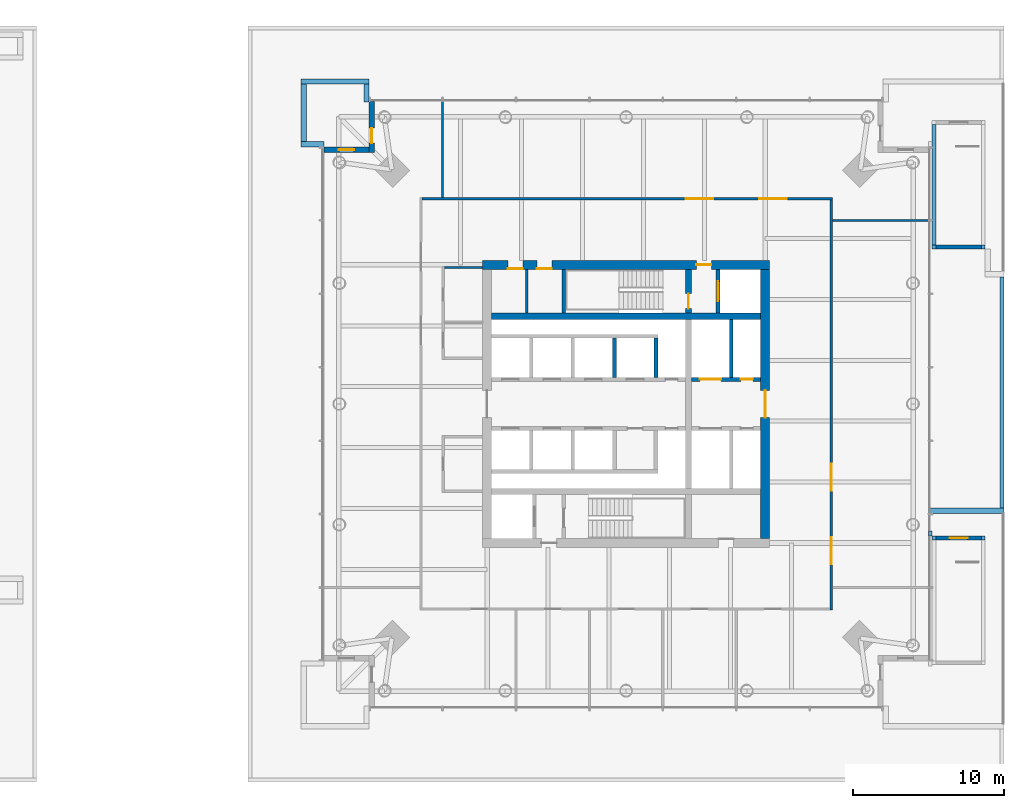
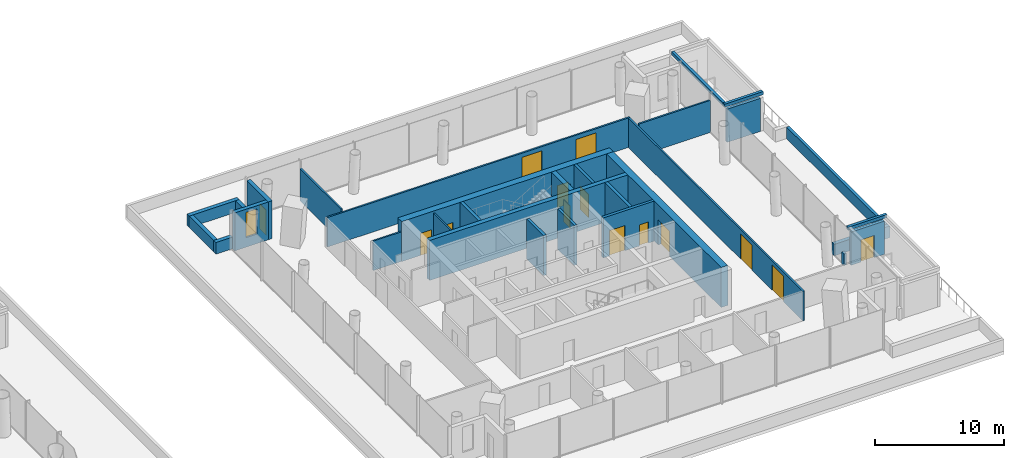
# One storey, part 15 of 19: 30 walls, 14 doors, 1 window, 15 openings.
"""IFC4 building model written with IfcOpenShell, lengths in metres."""

from ifc_helpers import new_model, si_unit, direction, frame, frame_2d, origin, place, context, subcontext, project, spatial, rectangle, extrude, material, layer, layer_set, type_object, element, fill, save


model = new_model("IFC4")

# Units and contexts
model_context = context("Model", 3, precision=1e-05, world=origin(), true_north=direction((0.0, 1.0)))
body_context = subcontext(model_context, "Body", "Model", "MODEL_VIEW")
ifc_project = project(units=[si_unit("LENGTHUNIT", "METRE"), si_unit("AREAUNIT", "SQUARE_METRE"), si_unit("VOLUMEUNIT", "CUBIC_METRE"), si_unit("PLANEANGLEUNIT", "RADIAN"), si_unit("MASSUNIT", "GRAM", prefix="KILO")], contexts=[model_context])

# Site, building, storey
site_placement = place(None, origin())
site = spatial("IfcSite", under=ifc_project, at=site_placement, CompositionType="ELEMENT")
building_placement = place(site_placement, origin())
building = spatial("IfcBuilding", under=site, at=building_placement, Name="Ostroluk Exchange", CompositionType="ELEMENT")
storey_placement = place(building_placement, frame((0.0, 0.0, 21.0)))
storey = spatial("IfcBuildingStorey", under=building, at=storey_placement, Name="L04", CompositionType="ELEMENT", Elevation=21.0)

# Walls
ifc_material_1 = material(Name="Concrete blockwork", Category="masonry")
ifc_layer_1 = layer(ifc_material_1, 0.14990234375)
ifc_layer_set_1 = layer_set([ifc_layer_1], Name="Blockwork plant room wall 150")
wall_type_1 = type_object("IfcWallType", Name="Blockwork plant room wall 150", PredefinedType="SOLIDWALL", material=ifc_layer_set_1)
wall_1_placement = place(storey_placement, frame((110.425048828125, 52.0, 0.0), z_axis=(0.0, 0.0, 1.0), x_axis=(0.0, 1.0, 0.0)))
element("IfcWall", 1, at=wall_1_placement, inside=storey, type_object=wall_type_1, Name="Core room wall", PredefinedType="SOLIDWALL", context=body_context, shape_type="SweptSolid", body=[
    extrude(rectangle(XDim=2.89990234375, YDim=0.14990234375, at=frame_2d((1.449951171875, 0.0))), origin(), (0.0, 0.0, 1.0), 3.60009765625),
])
ifc_material_2 = material(Name="Concrete C50/60", Category="concrete")
ifc_layer_2 = layer(ifc_material_2, 0.39990234375)
ifc_layer_set_2 = layer_set([ifc_layer_2], Name="Core cross wall 400 C50/60")
wall_type_2 = type_object("IfcWallType", Name="Core cross wall 400 C50/60", PredefinedType="SHEAR", material=ifc_layer_set_2)
wall_2_placement = place(storey_placement, frame((108.10009765625, 51.800048828125, 0.0), z_axis=(0.0, 0.0, 1.0), x_axis=(1.0, 0.0, 0.0)))
element("IfcWall", 2, at=wall_2_placement, inside=storey, type_object=wall_type_2, Name="T2 core wall XN", PredefinedType="SHEAR", context=body_context, shape_type="SweptSolid", body=[
    extrude(rectangle(XDim=17.7998046875, YDim=0.39990234375, at=frame_2d((8.89990234375, 0.0))), origin(), (0.0, 0.0, 1.0), 3.800048828125),
])

# Wall, opening, door
wall_3_placement = place(storey_placement, frame((121.1298828125, 52.0, 0.0), z_axis=(0.0, 0.0, 1.0), x_axis=(0.0, 1.0, 0.0)))
wall_3 = element("IfcWall", 3, at=wall_3_placement, inside=storey, type_object=wall_type_2, Name="T2 core wall YE3", PredefinedType="SHEAR", context=body_context, shape_type="SweptSolid", body=[
    extrude(rectangle(XDim=2.89990234375, YDim=0.39990234375, at=frame_2d((1.449951171875, 0.0))), origin(), (0.0, 0.0, 1.0), 3.800048828125),
])
opening_1_placement = place(wall_3_placement, frame((0.300048828125, 0.0, 0.0)))
opening_1 = element("IfcOpeningElement", 4, at=opening_1_placement, cuts=wall_3, Name="Opening FD60", PredefinedType="OPENING", context=body_context, shape_type="SweptSolid", body=[
    extrude(rectangle(XDim=1.0, YDim=2.10009765625, at=frame_2d((0.5, 1.050048828125))), frame((0.0, 0.2099609375, 0.0), z_axis=(0.0, -1.0, 0.0), x_axis=(1.0, 0.0, 0.0)), (0.0, 0.0, 1.0), 0.419921875),
])
ifc_material_3 = material(Name="Steel", Category="steel")
door_type_1 = type_object("IfcDoorType", Name="Fire door EI 60 1000 x 2100", OperationType="SINGLE_SWING_LEFT", PredefinedType="DOOR", material=ifc_material_3)
door_1_placement = place(opening_1_placement, origin())
door_1 = element("IfcDoor", 5, at=door_1_placement, inside=storey, type_object=door_type_1, Name="Stair T2-S2 door", OperationType="SINGLE_SWING_LEFT", OverallHeight=2.10009765625, OverallWidth=1.0, PredefinedType="DOOR", context=body_context, shape_type="SweptSolid", body=[
    extrude(rectangle(XDim=1.0, YDim=2.10009765625, at=frame_2d((0.5, 1.050048828125))), frame((0.0, 0.02490234375, 0.0), z_axis=(0.0, -1.0, 0.0), x_axis=(1.0, 0.0, 0.0)), (0.0, 0.0, 1.0), 0.050048828125),
])
fill(opening_1, door_1)

# Wall
ifc_material_4 = material(Name="Concrete C40/50", Category="concrete")
ifc_layer_3 = layer(ifc_material_4, 0.25)
ifc_layer_set_3 = layer_set([ifc_layer_3], Name="Core shaft wall 250")
wall_type_3 = type_object("IfcWallType", Name="Core shaft wall 250", PredefinedType="SHEAR", material=ifc_layer_set_3)
wall_4_placement = place(storey_placement, frame((112.875, 52.0, 0.0), z_axis=(0.0, 0.0, 1.0), x_axis=(0.0, 1.0, 0.0)))
element("IfcWall", 6, at=wall_4_placement, inside=storey, type_object=wall_type_3, Name="Stair shaft wall", PredefinedType="SHEAR", context=body_context, shape_type="SweptSolid", body=[
    extrude(rectangle(XDim=2.89990234375, YDim=0.25, at=frame_2d((1.449951171875, 0.0))), origin(), (0.0, 0.0, 1.0), 3.800048828125),
])

# Wall, opening, door
wall_5_placement = place(storey_placement, frame((123.074951171875, 52.0, 0.0), z_axis=(0.0, 0.0, 1.0), x_axis=(0.0, 1.0, 0.0)))
wall_5 = element("IfcWall", 7, at=wall_5_placement, inside=storey, type_object=wall_type_3, Name="Firefighting lift shaft wall", PredefinedType="SHEAR", context=body_context, shape_type="SweptSolid", body=[
    extrude(rectangle(XDim=2.89990234375, YDim=0.25, at=frame_2d((1.449951171875, 0.0))), origin(), (0.0, 0.0, 1.0), 3.800048828125),
])
opening_2_placement = place(wall_5_placement, frame((0.800048828125, 0.0, 0.0)))
opening_2 = element("IfcOpeningElement", 8, at=opening_2_placement, cuts=wall_5, Name="Opening LD2", PredefinedType="OPENING", context=body_context, shape_type="SweptSolid", body=[
    extrude(rectangle(XDim=1.300048828125, YDim=2.199951171875, at=frame_2d((0.64990234375, 1.10009765625))), frame((0.0, 0.135009765625, 0.0), z_axis=(0.0, -1.0, 0.0), x_axis=(1.0, 0.0, 0.0)), (0.0, 0.0, 1.0), 0.27001953125),
])
ifc_material_5 = material(Name="Stainless steel", Category="steel")
door_type_2 = type_object("IfcDoorType", Name="Lift landing door E 60 1300 x 2200", OperationType="DOUBLE_DOOR_SLIDING", PredefinedType="DOOR", material=ifc_material_5)
door_2_placement = place(opening_2_placement, origin())
door_2 = element("IfcDoor", 9, at=door_2_placement, inside=storey, type_object=door_type_2, Name="Lift HF2 landing door", OperationType="DOUBLE_DOOR_SLIDING", OverallHeight=2.199951171875, OverallWidth=1.300048828125, PredefinedType="DOOR", context=body_context, shape_type="SweptSolid", body=[
    extrude(rectangle(XDim=1.300048828125, YDim=2.199951171875, at=frame_2d((0.64990234375, 1.10009765625))), frame((0.0, 0.02490234375, 0.0), z_axis=(0.0, -1.0, 0.0), x_axis=(1.0, 0.0, 0.0)), (0.0, 0.0, 1.0), 0.050048828125),
])
fill(opening_2, door_2)

# Walls
for number, where, z_axis, x_axis, name in (
    (10, (116.22509765625, 47.75, 0.0), (0.0, 0.0, 1.0), (0.0, 1.0, 0.0), "Lift shaft wall"),
    (11, (118.97509765625, 47.75, 0.0), (0.0, 0.0, 1.0), (0.0, 1.0, 0.0), "Lift shaft wall"),
):
    element("IfcWall", number, at=place(storey_placement, frame(where, z_axis=z_axis, x_axis=x_axis)), inside=storey, type_object=wall_type_3, Name=name, PredefinedType="SHEAR", context=body_context, shape_type="SweptSolid", body=[
        extrude(rectangle(XDim=2.60009765625, YDim=0.25, at=frame_2d((1.300048828125, 0.0))), origin(), (0.0, 0.0, 1.0), 3.800048828125),
    ])
wall_6_placement = place(storey_placement, frame((123.955078125, 47.75, 0.0), z_axis=(0.0, 0.0, 1.0), x_axis=(0.0, 1.0, 0.0)))
element("IfcWall", 12, at=wall_6_placement, inside=storey, type_object=wall_type_3, Name="Lift shaft wall", PredefinedType="SHEAR", context=body_context, shape_type="SweptSolid", body=[
    extrude(rectangle(XDim=3.85009765625, YDim=0.25, at=frame_2d((1.925048828125, 0.0))), origin(), (0.0, 0.0, 1.0), 3.800048828125),
])

# Wall, openings, doors
wall_7_placement = place(storey_placement, frame((121.330078125, 47.625, 0.0), z_axis=(0.0, 0.0, 1.0), x_axis=(1.0, 0.0, 0.0)))
wall_7 = element("IfcWall", 13, at=wall_7_placement, inside=storey, type_object=wall_type_3, Name="Lift shaft front wall", PredefinedType="SHEAR", context=body_context, shape_type="SweptSolid", body=[
    extrude(rectangle(XDim=4.56982421875, YDim=0.25, at=frame_2d((2.284912109375, 0.0))), origin(), (0.0, 0.0, 1.0), 3.800048828125),
])
opening_3_placement = place(wall_7_placement, frame((0.550048828125, 0.0, 0.0)))
opening_3 = element("IfcOpeningElement", 14, at=opening_3_placement, cuts=wall_7, Name="Opening LD3", PredefinedType="OPENING", context=body_context, shape_type="SweptSolid", body=[
    extrude(rectangle(XDim=1.39990234375, YDim=2.39990234375, at=frame_2d((0.699951171875, 1.199951171875))), frame((0.0, 0.135009765625, 0.0), z_axis=(0.0, -1.0, 0.0), x_axis=(1.0, 0.0, 0.0)), (0.0, 0.0, 1.0), 0.27001953125),
])
opening_4_placement = place(wall_7_placement, frame((3.260009765625, 0.0, 0.0)))
opening_4 = element("IfcOpeningElement", 15, at=opening_4_placement, cuts=wall_7, Name="Opening RD60", PredefinedType="OPENING", context=body_context, shape_type="SweptSolid", body=[
    extrude(rectangle(XDim=0.800048828125, YDim=2.0, at=frame_2d((0.39990234375, 1.0))), frame((0.0, 0.135009765625, 0.0), z_axis=(0.0, -1.0, 0.0), x_axis=(1.0, 0.0, 0.0)), (0.0, 0.0, 1.0), 0.27001953125),
])
ifc_material_6 = material(Name="Stainless steel", Category="steel")
door_type_3 = type_object("IfcDoorType", Name="Goods lift landing door E 60 1400 x 2400", OperationType="DOUBLE_DOOR_SLIDING", PredefinedType="DOOR", material=ifc_material_6)
door_3_placement = place(opening_3_placement, origin())
door_3 = element("IfcDoor", 16, at=door_3_placement, inside=storey, type_object=door_type_3, Name="Lift HS1 landing door", OperationType="DOUBLE_DOOR_SLIDING", OverallHeight=2.39990234375, OverallWidth=1.39990234375, PredefinedType="DOOR", context=body_context, shape_type="SweptSolid", body=[
    extrude(rectangle(XDim=1.39990234375, YDim=2.39990234375, at=frame_2d((0.699951171875, 1.199951171875))), frame((0.0, 0.02490234375, 0.0), z_axis=(0.0, -1.0, 0.0), x_axis=(1.0, 0.0, 0.0)), (0.0, 0.0, 1.0), 0.050048828125),
])
fill(opening_3, door_3)
ifc_material_7 = material(Name="Steel", Category="steel")
door_type_4 = type_object("IfcDoorType", Name="Riser access door EI 60 800 x 2000", OperationType="SINGLE_SWING_LEFT", PredefinedType="DOOR", material=ifc_material_7)
door_4_placement = place(opening_4_placement, origin())
door_4 = element("IfcDoor", 17, at=door_4_placement, inside=storey, type_object=door_type_4, Name="Riser access door", OperationType="SINGLE_SWING_RIGHT", OverallHeight=2.0, OverallWidth=0.800048828125, PredefinedType="DOOR", context=body_context, shape_type="SweptSolid", body=[
    extrude(rectangle(XDim=0.800048828125, YDim=2.0, at=frame_2d((0.39990234375, 1.0))), frame((0.0, 0.02490234375, 0.0), z_axis=(0.0, -1.0, 0.0), x_axis=(1.0, 0.0, 0.0)), (0.0, 0.0, 1.0), 0.050048828125),
])
fill(opening_4, door_4)

ifc_material_8 = material(Name="Concrete C50/60", Category="concrete")
ifc_layer_4 = layer(ifc_material_8, 0.60009765625)
ifc_layer_set_4 = layer_set([ifc_layer_4], Name="Core wall 600 C50/60")
wall_type_4 = type_object("IfcWallType", Name="Core wall 600 C50/60", PredefinedType="SHEAR", material=ifc_layer_set_4)
wall_8_placement = place(storey_placement, frame((107.5, 55.199951171875, 0.0), z_axis=(0.0, 0.0, 1.0), x_axis=(1.0, 0.0, 0.0)))
wall_8 = element("IfcWall", 18, at=wall_8_placement, inside=storey, type_object=wall_type_4, Name="T2 core wall N", PredefinedType="SHEAR", context=body_context, shape_type="SweptSolid", body=[
    extrude(rectangle(XDim=19.0, YDim=0.60009765625, at=frame_2d((9.5, 0.0))), origin(), (0.0, 0.0, 1.0), 3.800048828125),
])
opening_5_placement = place(wall_8_placement, frame((14.139892578125, 0.0, 0.0)))
opening_5 = element("IfcOpeningElement", 19, at=opening_5_placement, cuts=wall_8, Name="Opening FD60", PredefinedType="OPENING", context=body_context, shape_type="SweptSolid", body=[
    extrude(rectangle(XDim=1.0, YDim=2.10009765625, at=frame_2d((0.5, 1.050048828125))), frame((0.0, 0.31005859375, 0.0), z_axis=(0.0, -1.0, 0.0), x_axis=(1.0, 0.0, 0.0)), (0.0, 0.0, 1.0), 0.6201171875),
])
opening_6_placement = place(wall_8_placement, frame((1.675048828125, 0.0, 0.0)))
opening_6 = element("IfcOpeningElement", 20, at=opening_6_placement, cuts=wall_8, Name="Opening FD60", PredefinedType="OPENING", context=body_context, shape_type="SweptSolid", body=[
    extrude(rectangle(XDim=1.0, YDim=2.10009765625, at=frame_2d((0.5, 1.050048828125))), frame((0.0, 0.31005859375, 0.0), z_axis=(0.0, -1.0, 0.0), x_axis=(1.0, 0.0, 0.0)), (0.0, 0.0, 1.0), 0.6201171875),
])
opening_7_placement = place(wall_8_placement, frame((3.58740234375, 0.0, 0.0)))
opening_7 = element("IfcOpeningElement", 21, at=opening_7_placement, cuts=wall_8, Name="Opening FD60", PredefinedType="OPENING", context=body_context, shape_type="SweptSolid", body=[
    extrude(rectangle(XDim=1.0, YDim=2.10009765625, at=frame_2d((0.5, 1.050048828125))), frame((0.0, 0.31005859375, 0.0), z_axis=(0.0, -1.0, 0.0), x_axis=(1.0, 0.0, 0.0)), (0.0, 0.0, 1.0), 0.6201171875),
])
door_5_placement = place(opening_5_placement, origin())
door_5 = element("IfcDoor", 22, at=door_5_placement, inside=storey, type_object=door_type_1, Name="Firefighting lobby door", OperationType="SINGLE_SWING_RIGHT", OverallHeight=2.10009765625, OverallWidth=1.0, PredefinedType="DOOR", context=body_context, shape_type="SweptSolid", body=[
    extrude(rectangle(XDim=1.0, YDim=2.10009765625, at=frame_2d((0.5, 1.050048828125))), frame((0.0, 0.02490234375, 0.0), z_axis=(0.0, -1.0, 0.0), x_axis=(1.0, 0.0, 0.0)), (0.0, 0.0, 1.0), 0.050048828125),
])
fill(opening_5, door_5)
door_6_placement = place(opening_6_placement, origin())
door_6 = element("IfcDoor", 23, at=door_6_placement, inside=storey, type_object=door_type_1, Name="Guest pantry door", OperationType="SINGLE_SWING_LEFT", OverallHeight=2.10009765625, OverallWidth=1.0, PredefinedType="DOOR", context=body_context, shape_type="SweptSolid", body=[
    extrude(rectangle(XDim=1.0, YDim=2.10009765625, at=frame_2d((0.5, 1.050048828125))), frame((0.0, -0.23974609375, 0.0), z_axis=(0.0, -1.0, 0.0), x_axis=(1.0, 0.0, 0.0)), (0.0, 0.0, 1.0), 0.050048828125),
])
fill(opening_6, door_6)
door_7_placement = place(opening_7_placement, origin())
door_7 = element("IfcDoor", 24, at=door_7_placement, inside=storey, type_object=door_type_1, Name="Ice and vending room door", OperationType="SINGLE_SWING_LEFT", OverallHeight=2.10009765625, OverallWidth=1.0, PredefinedType="DOOR", context=body_context, shape_type="SweptSolid", body=[
    extrude(rectangle(XDim=1.0, YDim=2.10009765625, at=frame_2d((0.5, 1.050048828125))), frame((0.0, -0.23974609375, 0.0), z_axis=(0.0, -1.0, 0.0), x_axis=(1.0, 0.0, 0.0)), (0.0, 0.0, 1.0), 0.050048828125),
])
fill(opening_7, door_7)

# Wall, opening, door
wall_9_placement = place(storey_placement, frame((126.199951171875, 37.10009765625, 0.0), z_axis=(0.0, 0.0, 1.0), x_axis=(0.0, 1.0, 0.0)))
wall_9 = element("IfcWall", 25, at=wall_9_placement, inside=storey, type_object=wall_type_4, Name="T2 core wall E", PredefinedType="SHEAR", context=body_context, shape_type="SweptSolid", body=[
    extrude(rectangle(XDim=17.7998046875, YDim=0.60009765625, at=frame_2d((8.89990234375, 0.0))), origin(), (0.0, 0.0, 1.0), 3.800048828125),
])
opening_8_placement = place(wall_9_placement, frame((8.0, 0.0, 0.0)))
opening_8 = element("IfcOpeningElement", 26, at=opening_8_placement, cuts=wall_9, Name="Opening FD30D", PredefinedType="OPENING", context=body_context, shape_type="SweptSolid", body=[
    extrude(rectangle(XDim=1.800048828125, YDim=2.39990234375, at=frame_2d((0.89990234375, 1.199951171875))), frame((0.0, 0.31005859375, 0.0), z_axis=(0.0, -1.0, 0.0), x_axis=(1.0, 0.0, 0.0)), (0.0, 0.0, 1.0), 0.6201171875),
])
ifc_material_9 = material(Name="Timber", Category="wood")
door_type_5 = type_object("IfcDoorType", Name="Lobby double door EI 30 1800 x 2400", OperationType="DOUBLE_DOOR_SINGLE_SWING", PredefinedType="DOOR", material=ifc_material_9)
door_8_placement = place(opening_8_placement, origin())
door_8 = element("IfcDoor", 27, at=door_8_placement, inside=storey, type_object=door_type_5, Name="Lift lobby doors", OperationType="DOUBLE_DOOR_SINGLE_SWING", OverallHeight=2.39990234375, OverallWidth=1.800048828125, PredefinedType="DOOR", context=body_context, shape_type="SweptSolid", body=[
    extrude(rectangle(XDim=1.800048828125, YDim=2.39990234375, at=frame_2d((0.89990234375, 1.199951171875))), frame((0.0, 0.02490234375, 0.0), z_axis=(0.0, -1.0, 0.0), x_axis=(1.0, 0.0, 0.0)), (0.0, 0.0, 1.0), 0.050048828125),
])
fill(opening_8, door_8)

# Wall
ifc_material_10 = material(Name="Limestone", Category="masonry")
ifc_layer_5 = layer(ifc_material_10, 0.25)
ifc_layer_set_5 = layer_set([ifc_layer_5], Name="Green roof parapet 250")
wall_type_5 = type_object("IfcWallType", Name="Green roof parapet 250", PredefinedType="PARAPET", material=ifc_layer_set_5)
wall_10_placement = place(storey_placement, frame((141.875, 39.110107421875, 0.0), z_axis=(0.0, 0.0, 1.0), x_axis=(0.0, 1.0, 0.0)))
element("IfcWall", 28, at=wall_10_placement, inside=storey, type_object=wall_type_5, Name="Green roof parapet L04 1", PredefinedType="PARAPET", context=body_context, shape_type="SweptSolid", body=[
    extrude(rectangle(XDim=15.27978515625, YDim=0.25, at=frame_2d((7.639892578125, 0.0))), origin(), (0.0, 0.0, 1.0), 1.10009765625),
])

# Wall, opening, door
ifc_material_11 = material(Name="Limestone", Category="masonry")
ifc_layer_6 = layer(ifc_material_11, 0.35009765625)
ifc_layer_set_6 = layer_set([ifc_layer_6], Name="Limestone facade wall 350")
wall_type_6 = type_object("IfcWallType", Name="Limestone facade wall 350", PredefinedType="SOLIDWALL", material=ifc_layer_set_6)
wall_11_placement = place(storey_placement, frame((100.175048828125, 66.0, 0.0), z_axis=(0.0, 0.0, 1.0), x_axis=(0.0, -1.0, 0.0)))
wall_11 = element("IfcWall", 29, at=wall_11_placement, inside=storey, type_object=wall_type_6, Name="Hotel tower NW corner wall L04 a", PredefinedType="SOLIDWALL", context=body_context, shape_type="SweptSolid", body=[
    extrude(rectangle(XDim=3.35009765625, YDim=0.35009765625, at=frame_2d((1.675048828125, 0.0))), origin(), (0.0, 0.0, 1.0), 3.60009765625),
])
opening_9_placement = place(wall_11_placement, frame((1.75, 0.0, 0.0)))
opening_9 = element("IfcOpeningElement", 30, at=opening_9_placement, cuts=wall_11, Name="Opening D-B1", PredefinedType="OPENING", context=body_context, shape_type="SweptSolid", body=[
    extrude(rectangle(XDim=1.0, YDim=2.39990234375, at=frame_2d((0.5, 1.199951171875))), frame((0.0, 0.18505859375, 0.0), z_axis=(0.0, -1.0, 0.0), x_axis=(1.0, 0.0, 0.0)), (0.0, 0.0, 1.0), 0.3701171875),
])
ifc_material_12 = material(Name="Bronze framed glazed door", Category="aluminium")
door_type_6 = type_object("IfcDoorType", Name="Balcony door 1000 x 2400", OperationType="SINGLE_SWING_LEFT", PredefinedType="DOOR", material=ifc_material_12)
door_9_placement = place(opening_9_placement, origin())
door_9 = element("IfcDoor", 31, at=door_9_placement, inside=storey, type_object=door_type_6, Name="Hotel tower NW balcony door L04", OperationType="SINGLE_SWING_RIGHT", OverallHeight=2.39990234375, OverallWidth=1.0, PredefinedType="DOOR", context=body_context, shape_type="SweptSolid", body=[
    extrude(rectangle(XDim=1.0, YDim=2.39990234375, at=frame_2d((0.5, 1.199951171875))), frame((0.0, 0.02490234375, 0.0), z_axis=(0.0, -1.0, 0.0), x_axis=(1.0, 0.0, 0.0)), (0.0, 0.0, 1.0), 0.050048828125),
])
fill(opening_9, door_9)

# Wall, opening, window
wall_12_placement = place(storey_placement, frame((100.0, 62.824951171875, 0.0), z_axis=(0.0, 0.0, 1.0), x_axis=(-1.0, 0.0, 0.0)))
wall_12 = element("IfcWall", 32, at=wall_12_placement, inside=storey, type_object=wall_type_6, Name="Hotel tower NW corner wall L04 b", PredefinedType="SOLIDWALL", context=body_context, shape_type="SweptSolid", body=[
    extrude(rectangle(XDim=3.0, YDim=0.35009765625, at=frame_2d((1.5, 0.0))), origin(), (0.0, 0.0, 1.0), 3.60009765625),
])
opening_10_placement = place(wall_12_placement, frame((1.0, 0.0, 0.89990234375)))
opening_10 = element("IfcOpeningElement", 33, at=opening_10_placement, cuts=wall_12, Name="Opening WN-L3", PredefinedType="OPENING", context=body_context, shape_type="SweptSolid", body=[
    extrude(rectangle(XDim=1.0, YDim=2.39990234375, at=frame_2d((0.5, 1.199951171875))), frame((0.0, 0.18505859375, 0.0), z_axis=(0.0, -1.0, 0.0), x_axis=(1.0, 0.0, 0.0)), (0.0, 0.0, 1.0), 0.3701171875),
])
ifc_material_13 = material(Name="Laminated clear glass", Category="glass")
window_type = type_object("IfcWindowType", Name="Hotel lancet window 1000 x 2400", PartitioningType="SINGLE_PANEL", PredefinedType="WINDOW", material=ifc_material_13)
window_placement = place(opening_10_placement, origin())
window = element("IfcWindow", 34, at=window_placement, inside=storey, type_object=window_type, Name="Hotel tower NW lancet window L04", OverallHeight=2.39990234375, OverallWidth=1.0, PartitioningType="SINGLE_PANEL", PredefinedType="WINDOW", context=body_context, shape_type="SweptSolid", body=[
    extrude(rectangle(XDim=1.0, YDim=2.39990234375, at=frame_2d((0.5, 1.199951171875))), frame((0.0, 0.030029296875, 0.0), z_axis=(0.0, -1.0, 0.0), x_axis=(1.0, 0.0, 0.0)), (0.0, 0.0, 1.0), 0.06005859375),
])
fill(opening_10, window)

# Walls
ifc_material_14 = material(Name="Limestone", Category="masonry")
ifc_layer_7 = layer(ifc_material_14, 0.35009765625)
ifc_layer_set_7 = layer_set([ifc_layer_7], Name="Planter wall 350")
wall_type_7 = type_object("IfcWallType", Name="Planter wall 350", PredefinedType="PARAPET", material=ifc_layer_set_7)
wall_13_placement = place(storey_placement, frame((137.1201171875, 37.25, 0.0), z_axis=(0.0, 0.0, 1.0), x_axis=(0.0, 1.0, 0.0)))
element("IfcWall", 35, at=wall_13_placement, inside=storey, type_object=wall_type_7, Name="Terrace planter wall L04 4", PredefinedType="PARAPET", context=body_context, shape_type="SweptSolid", body=[
    extrude(rectangle(XDim=0.35009765625, YDim=0.239990234375, at=frame_2d((0.175048828125, 0.0))), origin(), (0.0, 0.0, 1.0), 1.10009765625),
])
wall_14_placement = place(storey_placement, frame((137.0, 38.925048828125, 0.0), z_axis=(0.0, 0.0, 1.0), x_axis=(1.0, 0.0, 0.0)))
element("IfcWall", 36, at=wall_14_placement, inside=storey, type_object=wall_type_7, Name="Terrace planter wall L04 5", PredefinedType="PARAPET", context=body_context, shape_type="SweptSolid", body=[
    extrude(rectangle(XDim=5.0, YDim=0.35009765625, at=frame_2d((2.5, 0.0))), origin(), (0.0, 0.0, 1.0), 1.10009765625),
])
wall_15_placement = place(storey_placement, frame((95.5, 63.175048828125, 0.0), z_axis=(0.0, 0.0, 1.0), x_axis=(1.0, 0.0, 0.0)))
element("IfcWall", 37, at=wall_15_placement, inside=storey, type_object=wall_type_7, Name="Terrace planter wall L04 1", PredefinedType="PARAPET", context=body_context, shape_type="SweptSolid", body=[
    extrude(rectangle(XDim=1.510009765625, YDim=0.35009765625, at=frame_2d((0.7548828125, 0.0))), origin(), (0.0, 0.0, 1.0), 1.10009765625),
])
wall_16_placement = place(storey_placement, frame((95.675048828125, 63.35009765625, 0.0), z_axis=(0.0, 0.0, 1.0), x_axis=(0.0, 1.0, 0.0)))
element("IfcWall", 38, at=wall_16_placement, inside=storey, type_object=wall_type_7, Name="Terrace planter wall L04 2", PredefinedType="PARAPET", context=body_context, shape_type="SweptSolid", body=[
    extrude(rectangle(XDim=3.7998046875, YDim=0.35009765625, at=frame_2d((1.89990234375, 0.0))), origin(), (0.0, 0.0, 1.0), 1.10009765625),
])
wall_17_placement = place(storey_placement, frame((95.5, 67.324951171875, 0.0), z_axis=(0.0, 0.0, 1.0), x_axis=(1.0, 0.0, 0.0)))
element("IfcWall", 39, at=wall_17_placement, inside=storey, type_object=wall_type_7, Name="Terrace planter wall L04 3", PredefinedType="PARAPET", context=body_context, shape_type="SweptSolid", body=[
    extrude(rectangle(XDim=4.5, YDim=0.35009765625, at=frame_2d((2.25, 0.0))), origin(), (0.0, 0.0, 1.0), 1.10009765625),
])
wall_18_placement = place(storey_placement, frame((99.824951171875, 65.989990234375, 0.0), z_axis=(0.0, 0.0, 1.0), x_axis=(0.0, 1.0, 0.0)))
element("IfcWall", 40, at=wall_18_placement, inside=storey, type_object=wall_type_7, Name="Terrace planter wall L04 4", PredefinedType="PARAPET", context=body_context, shape_type="SweptSolid", body=[
    extrude(rectangle(XDim=1.159912109375, YDim=0.35009765625, at=frame_2d((0.580078125, 0.0))), origin(), (0.0, 0.0, 1.0), 1.10009765625),
])

# Wall, openings, doors
ifc_material_15 = material(Name="Gypsum plasterboard partition", Category="gypsum")
ifc_layer_8 = layer(ifc_material_15, 0.14990234375)
ifc_layer_set_8 = layer_set([ifc_layer_8], Name="Plasterboard partition 150")
wall_type_8 = type_object("IfcWallType", Name="Plasterboard partition 150", PredefinedType="PARTITIONING", material=ifc_layer_set_8)
wall_19_placement = place(storey_placement, frame((130.574951171875, 32.35009765625, 0.0), z_axis=(0.0, 0.0, 1.0), x_axis=(0.0, 1.0, 0.0)))
wall_19 = element("IfcWall", 41, at=wall_19_placement, inside=storey, type_object=wall_type_8, Name="Partition", PredefinedType="PARTITIONING", context=body_context, shape_type="SweptSolid", body=[
    extrude(rectangle(XDim=27.14990234375, YDim=0.14990234375, at=frame_2d((13.574951171875, 0.0))), origin(), (0.0, 0.0, 1.0), 2.800048828125),
])
opening_11_placement = place(wall_19_placement, frame((3.03564453125, 0.0, 0.0)))
opening_11 = element("IfcOpeningElement", 42, at=opening_11_placement, cuts=wall_19, Name="Opening D-04", PredefinedType="OPENING", context=body_context, shape_type="SweptSolid", body=[
    extrude(rectangle(XDim=1.800048828125, YDim=2.39990234375, at=frame_2d((0.89990234375, 1.199951171875))), frame((0.0, 0.0849609375, 0.0), z_axis=(0.0, -1.0, 0.0), x_axis=(1.0, 0.0, 0.0)), (0.0, 0.0, 1.0), 0.169921875),
])
opening_12_placement = place(wall_19_placement, frame((7.892822265625, 0.0, 0.0)))
opening_12 = element("IfcOpeningElement", 43, at=opening_12_placement, cuts=wall_19, Name="Opening D-04", PredefinedType="OPENING", context=body_context, shape_type="SweptSolid", body=[
    extrude(rectangle(XDim=1.800048828125, YDim=2.39990234375, at=frame_2d((0.89990234375, 1.199951171875))), frame((0.0, 0.0849609375, 0.0), z_axis=(0.0, -1.0, 0.0), x_axis=(1.0, 0.0, 0.0)), (0.0, 0.0, 1.0), 0.169921875),
])
ifc_material_16 = material(Name="Timber", Category="wood")
door_type_7 = type_object("IfcDoorType", Name="Double door 1800 x 2400", OperationType="DOUBLE_DOOR_SINGLE_SWING", PredefinedType="DOOR", material=ifc_material_16)
door_10_placement = place(opening_11_placement, origin())
door_10 = element("IfcDoor", 44, at=door_10_placement, inside=storey, type_object=door_type_7, Name="Restaurant door", OperationType="DOUBLE_DOOR_SINGLE_SWING", OverallHeight=2.39990234375, OverallWidth=1.800048828125, PredefinedType="DOOR", context=body_context, shape_type="SweptSolid", body=[
    extrude(rectangle(XDim=1.800048828125, YDim=2.39990234375, at=frame_2d((0.89990234375, 1.199951171875))), frame((0.0, 0.02490234375, 0.0), z_axis=(0.0, -1.0, 0.0), x_axis=(1.0, 0.0, 0.0)), (0.0, 0.0, 1.0), 0.050048828125),
])
fill(opening_11, door_10)
door_11_placement = place(opening_12_placement, origin())
door_11 = element("IfcDoor", 45, at=door_11_placement, inside=storey, type_object=door_type_7, Name="Restaurant door", OperationType="DOUBLE_DOOR_SINGLE_SWING", OverallHeight=2.39990234375, OverallWidth=1.800048828125, PredefinedType="DOOR", context=body_context, shape_type="SweptSolid", body=[
    extrude(rectangle(XDim=1.800048828125, YDim=2.39990234375, at=frame_2d((0.89990234375, 1.199951171875))), frame((0.0, 0.02490234375, 0.0), z_axis=(0.0, -1.0, 0.0), x_axis=(1.0, 0.0, 0.0)), (0.0, 0.0, 1.0), 0.050048828125),
])
fill(opening_12, door_11)

# Wall
wall_20_placement = place(storey_placement, frame((130.64990234375, 58.142822265625, 0.0), z_axis=(0.0, 0.0, 1.0), x_axis=(1.0, 0.0, 0.0)))
element("IfcWall", 46, at=wall_20_placement, inside=storey, type_object=wall_type_8, Name="Partition", PredefinedType="PARTITIONING", context=body_context, shape_type="SweptSolid", body=[
    extrude(rectangle(XDim=6.39013671875, YDim=0.14990234375, at=frame_2d((3.195068359375, 0.0))), origin(), (0.0, 0.0, 1.0), 3.050048828125),
])

# Wall, openings, doors
wall_21_placement = place(storey_placement, frame((130.64990234375, 59.574951171875, 0.0), z_axis=(0.0, 0.0, 1.0), x_axis=(-1.0, 0.0, 0.0)))
wall_21 = element("IfcWall", 47, at=wall_21_placement, inside=storey, type_object=wall_type_8, Name="Partition", PredefinedType="PARTITIONING", context=body_context, shape_type="SweptSolid", body=[
    extrude(rectangle(XDim=27.14990234375, YDim=0.14990234375, at=frame_2d((13.574951171875, 0.0))), origin(), (0.0, 0.0, 1.0), 2.800048828125),
])
opening_13_placement = place(wall_21_placement, frame((3.03564453125, 0.0, 0.0)))
opening_13 = element("IfcOpeningElement", 48, at=opening_13_placement, cuts=wall_21, Name="Opening D-04", PredefinedType="OPENING", context=body_context, shape_type="SweptSolid", body=[
    extrude(rectangle(XDim=1.800048828125, YDim=2.39990234375, at=frame_2d((0.89990234375, 1.199951171875))), frame((0.0, 0.0849609375, 0.0), z_axis=(0.0, -1.0, 0.0), x_axis=(1.0, 0.0, 0.0)), (0.0, 0.0, 1.0), 0.169921875),
])
opening_14_placement = place(wall_21_placement, frame((7.892822265625, 0.0, 0.0)))
opening_14 = element("IfcOpeningElement", 49, at=opening_14_placement, cuts=wall_21, Name="Opening D-04", PredefinedType="OPENING", context=body_context, shape_type="SweptSolid", body=[
    extrude(rectangle(XDim=1.800048828125, YDim=2.39990234375, at=frame_2d((0.89990234375, 1.199951171875))), frame((0.0, 0.0849609375, 0.0), z_axis=(0.0, -1.0, 0.0), x_axis=(1.0, 0.0, 0.0)), (0.0, 0.0, 1.0), 0.169921875),
])
door_12_placement = place(opening_13_placement, origin())
door_12 = element("IfcDoor", 50, at=door_12_placement, inside=storey, type_object=door_type_7, Name="Business centre door", OperationType="DOUBLE_DOOR_SINGLE_SWING", OverallHeight=2.39990234375, OverallWidth=1.800048828125, PredefinedType="DOOR", context=body_context, shape_type="SweptSolid", body=[
    extrude(rectangle(XDim=1.800048828125, YDim=2.39990234375, at=frame_2d((0.89990234375, 1.199951171875))), frame((0.0, 0.02490234375, 0.0), z_axis=(0.0, -1.0, 0.0), x_axis=(1.0, 0.0, 0.0)), (0.0, 0.0, 1.0), 0.050048828125),
])
fill(opening_13, door_12)
door_13_placement = place(opening_14_placement, origin())
door_13 = element("IfcDoor", 51, at=door_13_placement, inside=storey, type_object=door_type_7, Name="Business centre door", OperationType="DOUBLE_DOOR_SINGLE_SWING", OverallHeight=2.39990234375, OverallWidth=1.800048828125, PredefinedType="DOOR", context=body_context, shape_type="SweptSolid", body=[
    extrude(rectangle(XDim=1.800048828125, YDim=2.39990234375, at=frame_2d((0.89990234375, 1.199951171875))), frame((0.0, 0.02490234375, 0.0), z_axis=(0.0, -1.0, 0.0), x_axis=(1.0, 0.0, 0.0)), (0.0, 0.0, 1.0), 0.050048828125),
])
fill(opening_14, door_13)

# Walls
wall_22_placement = place(storey_placement, frame((104.857177734375, 59.64990234375, 0.0), z_axis=(0.0, 0.0, 1.0), x_axis=(0.0, 1.0, 0.0)))
element("IfcWall", 52, at=wall_22_placement, inside=storey, type_object=wall_type_8, Name="Partition", PredefinedType="PARTITIONING", context=body_context, shape_type="SweptSolid", body=[
    extrude(rectangle(XDim=6.39013671875, YDim=0.14990234375, at=frame_2d((3.195068359375, 0.0))), origin(), (0.0, 0.0, 1.0), 3.050048828125),
])
ifc_material_17 = material(Name="Gypsum plasterboard partition, moisture resistant", Category="gypsum")
ifc_layer_9 = layer(ifc_material_17, 0.14990234375)
ifc_layer_set_9 = layer_set([ifc_layer_9], Name="Plasterboard toilet partition 150")
wall_type_9 = type_object("IfcWallType", Name="Plasterboard toilet partition 150", PredefinedType="PARTITIONING", material=ifc_layer_set_9)
wall_23_placement = place(storey_placement, frame((104.97509765625, 55.02490234375, 0.0), z_axis=(0.0, 0.0, 1.0), x_axis=(1.0, 0.0, 0.0)))
element("IfcWall", 53, at=wall_23_placement, inside=storey, type_object=wall_type_9, Name="Toilet partition", PredefinedType="PARTITIONING", context=body_context, shape_type="SweptSolid", body=[
    extrude(rectangle(XDim=2.52490234375, YDim=0.14990234375, at=frame_2d((1.262451171875, 0.0))), origin(), (0.0, 0.0, 1.0), 2.800048828125),
])
ifc_material_18 = material(Name="Concrete C30/37", Category="concrete")
ifc_layer_10 = layer(ifc_material_18, 0.25)
ifc_layer_set_10 = layer_set([ifc_layer_10], Name="Stair head-house roof upstand 250 EI 120")
wall_type_10 = type_object("IfcWallType", Name="Stair head-house roof upstand 250 EI 120", PredefinedType="PARAPET", material=ifc_layer_set_10)
for number, where, z_axis, x_axis, name in (
    (54, (137.25, 37.125, 3.39990234375), (0.0, 0.0, 1.0), (1.0, 0.0, 0.0), "Stair PS7 head-house roof upstand 3"),
    (55, (137.25, 56.375, 3.39990234375), (0.0, 0.0, 1.0), (1.0, 0.0, 0.0), "Stair PS8 head-house roof upstand 1"),
):
    element("IfcWall", number, at=place(storey_placement, frame(where, z_axis=z_axis, x_axis=x_axis)), inside=storey, type_object=wall_type_10, Name=name, PredefinedType="PARAPET", context=body_context, shape_type="SweptSolid", body=[
        extrude(rectangle(XDim=3.5, YDim=0.25, at=frame_2d((1.75, 0.0))), origin(), (0.0, 0.0, 1.0), 0.300048828125),
    ])
wall_24_placement = place(storey_placement, frame((137.375, 56.5, 3.39990234375), z_axis=(0.0, 0.0, 1.0), x_axis=(0.0, 1.0, 0.0)))
element("IfcWall", 56, at=wall_24_placement, inside=storey, type_object=wall_type_10, Name="Stair PS8 head-house roof upstand 2", PredefinedType="PARAPET", context=body_context, shape_type="SweptSolid", body=[
    extrude(rectangle(XDim=8.0, YDim=0.25, at=frame_2d((4.0, 0.0))), origin(), (0.0, 0.0, 1.0), 0.300048828125),
])

# Wall, opening, door
ifc_material_19 = material(Name="Concrete blockwork, load-bearing", Category="masonry")
ifc_layer_11 = layer(ifc_material_19, 0.25)
ifc_layer_set_11 = layer_set([ifc_layer_11], Name="Stair head-house wall, load-bearing blockwork 250, EI 120")
wall_type_11 = type_object("IfcWallType", Name="Stair head-house wall, load-bearing blockwork 250, EI 120", PredefinedType="SOLIDWALL", material=ifc_layer_set_11)
wall_25_placement = place(storey_placement, frame((137.5, 37.125, 0.0), z_axis=(0.0, 0.0, 1.0), x_axis=(1.0, 0.0, 0.0)))
wall_25 = element("IfcWall", 57, at=wall_25_placement, inside=storey, type_object=wall_type_11, Name="Stair PS7 enclosure wall", PredefinedType="SOLIDWALL", context=body_context, shape_type="SweptSolid", body=[
    extrude(rectangle(XDim=3.0, YDim=0.25, at=frame_2d((1.5, 0.0))), origin(), (0.0, 0.0, 1.0), 3.14990234375),
])
opening_15_placement = place(wall_25_placement, frame((0.89990234375, 0.0, 0.0)))
opening_15 = element("IfcOpeningElement", 58, at=opening_15_placement, cuts=wall_25, Name="Opening FD60S", PredefinedType="OPENING", context=body_context, shape_type="SweptSolid", body=[
    extrude(rectangle(XDim=1.199951171875, YDim=2.10009765625, at=frame_2d((0.60009765625, 1.050048828125))), frame((0.0, 0.135009765625, 0.0), z_axis=(0.0, -1.0, 0.0), x_axis=(1.0, 0.0, 0.0)), (0.0, 0.0, 1.0), 0.27001953125),
])
ifc_material_20 = material(Name="Steel", Category="steel")
door_type_8 = type_object("IfcDoorType", Name="Stair door EI 60 1200 x 2100", OperationType="SINGLE_SWING_LEFT", PredefinedType="DOOR", material=ifc_material_20)
door_14_placement = place(opening_15_placement, origin())
door_14 = element("IfcDoor", 59, at=door_14_placement, inside=storey, type_object=door_type_8, Name="Stair PS7 door", OperationType="SINGLE_SWING_LEFT", OverallHeight=2.10009765625, OverallWidth=1.199951171875, PredefinedType="DOOR", context=body_context, shape_type="SweptSolid", body=[
    extrude(rectangle(XDim=1.199951171875, YDim=2.10009765625, at=frame_2d((0.60009765625, 1.050048828125))), frame((0.0, 0.02490234375, 0.0), z_axis=(0.0, -1.0, 0.0), x_axis=(1.0, 0.0, 0.0)), (0.0, 0.0, 1.0), 0.050048828125),
])
fill(opening_15, door_14)

# Wall
wall_26_placement = place(storey_placement, frame((137.5, 56.375, 0.0), z_axis=(0.0, 0.0, 1.0), x_axis=(1.0, 0.0, 0.0)))
element("IfcWall", 60, at=wall_26_placement, inside=storey, type_object=wall_type_11, Name="Stair PS8 enclosure wall", PredefinedType="SOLIDWALL", context=body_context, shape_type="SweptSolid", body=[
    extrude(rectangle(XDim=3.0, YDim=0.25, at=frame_2d((1.5, 0.0))), origin(), (0.0, 0.0, 1.0), 3.14990234375),
])

save(model, "model.ifc")
